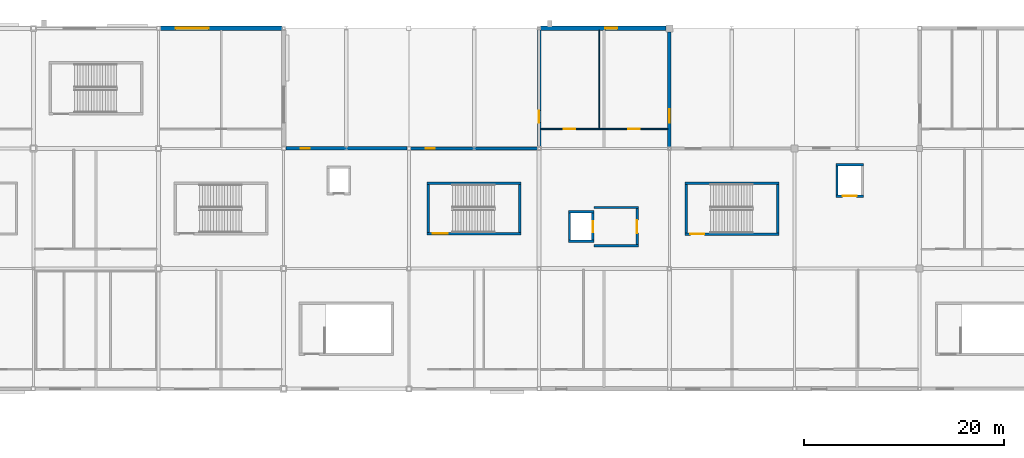
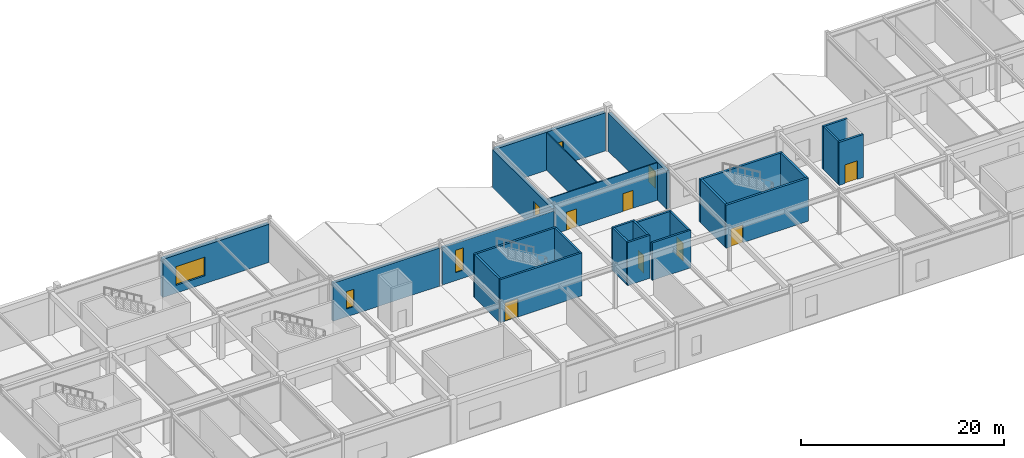
# One storey, part 82 of 105: 26 walls, 7 doors, 6 windows, 13 openings.
"""IFC4 building model written with IfcOpenShell, lengths in metres."""

from ifc_helpers import new_model, si_unit, direction, frame, frame_2d, origin, place, context, subcontext, project, spatial, rectangle, extrude, material, layer, layer_set, type_object, element, fill, save


model = new_model("IFC4")

# Units and contexts
model_context = context("Model", 3, precision=1e-05, world=origin(), true_north=direction((0.0, 1.0)))
body_context = subcontext(model_context, "Body", "Model", "MODEL_VIEW")
ifc_project = project(units=[si_unit("LENGTHUNIT", "METRE"), si_unit("AREAUNIT", "SQUARE_METRE"), si_unit("VOLUMEUNIT", "CUBIC_METRE"), si_unit("PLANEANGLEUNIT", "RADIAN"), si_unit("MASSUNIT", "GRAM", prefix="KILO")], contexts=[model_context])

# Site, building, storey
site_placement = place(None, origin())
site = spatial("IfcSite", under=ifc_project, at=site_placement, CompositionType="ELEMENT")
building_placement = place(site_placement, origin())
building = spatial("IfcBuilding", under=site, at=building_placement, Name="Kazenohara Klinker Stadium", CompositionType="ELEMENT")
storey_placement = place(building_placement, frame((0.0, 0.0, 20.39990234375)))
storey = spatial("IfcBuildingStorey", under=building, at=storey_placement, Name="L04", CompositionType="ELEMENT", Elevation=20.39990234375)

# Wall, opening, door
ifc_material_1 = material(Name="Concrete C40/50", Category="concrete")
ifc_layer_1 = layer(ifc_material_1, 0.22998046875)
ifc_layer_set_1 = layer_set([ifc_layer_1], Name="Concrete C40/50")
wall_type_1 = type_object("IfcWallType", Name="WAL-CORE-230", PredefinedType="SHEAR", material=ifc_layer_set_1)
wall_1_placement = place(storey_placement, frame((100.820068359375, 147.485107421875, 0.0), z_axis=(0.0, 0.0, 1.0), x_axis=(1.0, 0.0, 0.0)))
wall_1 = element("IfcWall", 1, at=wall_1_placement, inside=storey, type_object=wall_type_1, Name="Stairwell shear wall ST10 L04 South", PredefinedType="SHEAR", context=body_context, shape_type="SweptSolid", body=[
    extrude(rectangle(XDim=9.35986328125, YDim=0.22998046875, at=frame_2d((4.679931640625, 0.0))), origin(), (0.0, 0.0, 1.0), 5.18017578125),
])
opening_1_placement = place(wall_1_placement, frame((0.550048828125, 0.0, 0.0)))
opening_1 = element("IfcOpeningElement", 2, at=opening_1_placement, cuts=wall_1, Name="Opening SD02", PredefinedType="OPENING", context=body_context, shape_type="SweptSolid", body=[
    extrude(rectangle(XDim=1.5, YDim=2.199951171875, at=frame_2d((0.75, 1.10009765625))), frame((0.0, 0.125, 0.0), z_axis=(0.0, -1.0, 0.0), x_axis=(1.0, 0.0, 0.0)), (0.0, 0.0, 1.0), 0.25),
])
ifc_material_2 = material(Name="Flush painted steel fire door leaf", Category="steel")
door_type_1 = type_object("IfcDoorType", Name="DR-STR-1500x2200", OperationType="NOTDEFINED", PredefinedType="DOOR", material=ifc_material_2)
door_1_placement = place(opening_1_placement, origin())
door_1 = element("IfcDoor", 3, at=door_1_placement, inside=storey, type_object=door_type_1, Name="Escape stairwell fire door ST10-L04", OperationType="SINGLE_SWING_LEFT", OverallHeight=2.199951171875, OverallWidth=1.5, PredefinedType="DOOR", context=body_context, shape_type="SweptSolid", body=[
    extrude(rectangle(XDim=1.5, YDim=2.199951171875, at=frame_2d((0.75, 1.10009765625))), frame((0.0, 0.02490234375, 0.0), z_axis=(0.0, -1.0, 0.0), x_axis=(1.0, 0.0, 0.0)), (0.0, 0.0, 1.0), 0.050048828125),
])
fill(opening_1, door_1)

# Walls
wall_2_placement = place(storey_placement, frame((100.820068359375, 152.514892578125, 0.0), z_axis=(0.0, 0.0, 1.0), x_axis=(1.0, 0.0, 0.0)))
element("IfcWall", 4, at=wall_2_placement, inside=storey, type_object=wall_type_1, Name="Stairwell shear wall ST10 L04 North", PredefinedType="SHEAR", context=body_context, shape_type="SweptSolid", body=[
    extrude(rectangle(XDim=9.35986328125, YDim=0.22998046875, at=frame_2d((4.679931640625, 0.0))), origin(), (0.0, 0.0, 1.0), 5.18017578125),
])
for number, where, z_axis, x_axis, name in (
    (5, (100.93505859375, 147.60009765625, 0.0), (0.0, 0.0, 1.0), (0.0, 1.0, 0.0), "Stairwell shear wall ST10 L04 West"),
    (6, (110.06494140625, 147.60009765625, 0.0), (0.0, 0.0, 1.0), (0.0, 1.0, 0.0), "Stairwell shear wall ST10 L04 East"),
):
    element("IfcWall", number, at=place(storey_placement, frame(where, z_axis=z_axis, x_axis=x_axis)), inside=storey, type_object=wall_type_1, Name=name, PredefinedType="SHEAR", context=body_context, shape_type="SweptSolid", body=[
        extrude(rectangle(XDim=4.7998046875, YDim=0.22998046875, at=frame_2d((2.39990234375, 0.0))), origin(), (0.0, 0.0, 1.0), 5.18017578125),
    ])
for number, where, z_axis, x_axis, name in (
    (7, (114.919921875, 146.735107421875, 0.0), (0.0, 0.0, 1.0), (1.0, 0.0, 0.0), "Elevator shaft wall LF04 L04 South"),
    (8, (114.919921875, 149.6650390625, 0.0), (0.0, 0.0, 1.0), (1.0, 0.0, 0.0), "Elevator shaft wall LF04 L04 North"),
):
    element("IfcWall", number, at=place(storey_placement, frame(where, z_axis=z_axis, x_axis=x_axis)), inside=storey, type_object=wall_type_1, Name=name, PredefinedType="SHEAR", context=body_context, shape_type="SweptSolid", body=[
        extrude(rectangle(XDim=2.56005859375, YDim=0.22998046875, at=frame_2d((1.280029296875, 0.0))), origin(), (0.0, 0.0, 1.0), 5.18017578125),
    ])
wall_3_placement = place(storey_placement, frame((115.034912109375, 146.85009765625, 0.0), z_axis=(0.0, 0.0, 1.0), x_axis=(0.0, 1.0, 0.0)))
element("IfcWall", 9, at=wall_3_placement, inside=storey, type_object=wall_type_1, Name="Elevator shaft wall LF04 L04 West", PredefinedType="SHEAR", context=body_context, shape_type="SweptSolid", body=[
    extrude(rectangle(XDim=2.699951171875, YDim=0.22998046875, at=frame_2d((1.35009765625, 0.0))), origin(), (0.0, 0.0, 1.0), 5.18017578125),
])

# Wall, opening, door
wall_4_placement = place(storey_placement, frame((117.364990234375, 146.85009765625, 0.0), z_axis=(0.0, 0.0, 1.0), x_axis=(0.0, 1.0, 0.0)))
wall_4 = element("IfcWall", 10, at=wall_4_placement, inside=storey, type_object=wall_type_1, Name="Elevator shaft wall LF04 L04 East", PredefinedType="SHEAR", context=body_context, shape_type="SweptSolid", body=[
    extrude(rectangle(XDim=2.699951171875, YDim=0.22998046875, at=frame_2d((1.35009765625, 0.0))), origin(), (0.0, 0.0, 1.0), 5.18017578125),
])
opening_2_placement = place(wall_4_placement, frame((0.800048828125, 0.0, 0.0)))
opening_2 = element("IfcOpeningElement", 11, at=opening_2_placement, cuts=wall_4, Name="Opening LD01", PredefinedType="OPENING", context=body_context, shape_type="SweptSolid", body=[
    extrude(rectangle(XDim=1.10009765625, YDim=2.14990234375, at=frame_2d((0.550048828125, 1.074951171875))), frame((0.0, 0.125, 0.0), z_axis=(0.0, -1.0, 0.0), x_axis=(1.0, 0.0, 0.0)), (0.0, 0.0, 1.0), 0.25),
])
ifc_material_3 = material(Name="Stainless steel fire-rated sliding landing door", Category="steel")
door_type_2 = type_object("IfcDoorType", Name="DR-LD01-1100x2150", OperationType="NOTDEFINED", PredefinedType="DOOR", material=ifc_material_3)
door_2_placement = place(opening_2_placement, origin())
door_2 = element("IfcDoor", 12, at=door_2_placement, inside=storey, type_object=door_type_2, Name="Elevator sliding landing door LF04-L04", OperationType="DOUBLE_DOOR_SLIDING", OverallHeight=2.14990234375, OverallWidth=1.10009765625, PredefinedType="DOOR", context=body_context, shape_type="SweptSolid", body=[
    extrude(rectangle(XDim=1.10009765625, YDim=2.14990234375, at=frame_2d((0.550048828125, 1.074951171875))), frame((0.0, 0.02490234375, 0.0), z_axis=(0.0, -1.0, 0.0), x_axis=(1.0, 0.0, 0.0)), (0.0, 0.0, 1.0), 0.050048828125),
])
fill(opening_2, door_2)

wall_5_placement = place(storey_placement, frame((141.6201171875, 151.235107421875, 0.0), z_axis=(0.0, 0.0, 1.0), x_axis=(1.0, 0.0, 0.0)))
wall_5 = element("IfcWall", 13, at=wall_5_placement, inside=storey, type_object=wall_type_1, Name="Elevator shaft wall LG02 L04 South", PredefinedType="SHEAR", context=body_context, shape_type="SweptSolid", body=[
    extrude(rectangle(XDim=2.759765625, YDim=0.22998046875, at=frame_2d((1.3798828125, 0.0))), origin(), (0.0, 0.0, 1.0), 5.18017578125),
])
opening_3_placement = place(wall_5_placement, frame((0.679931640625, 0.0, 0.0)))
opening_3 = element("IfcOpeningElement", 14, at=opening_3_placement, cuts=wall_5, Name="Opening LD03", PredefinedType="OPENING", context=body_context, shape_type="SweptSolid", body=[
    extrude(rectangle(XDim=1.39990234375, YDim=2.25, at=frame_2d((0.699951171875, 1.125))), frame((0.0, 0.125, 0.0), z_axis=(0.0, -1.0, 0.0), x_axis=(1.0, 0.0, 0.0)), (0.0, 0.0, 1.0), 0.25),
])
ifc_material_4 = material(Name="Heavy-duty stainless steel sliding goods landing door", Category="steel")
door_type_3 = type_object("IfcDoorType", Name="DR-LD03-1400x2250", OperationType="NOTDEFINED", PredefinedType="DOOR", material=ifc_material_4)
door_3_placement = place(opening_3_placement, origin())
door_3 = element("IfcDoor", 15, at=door_3_placement, inside=storey, type_object=door_type_3, Name="Elevator sliding landing door LG02-L04", OperationType="DOUBLE_DOOR_SLIDING", OverallHeight=2.25, OverallWidth=1.39990234375, PredefinedType="DOOR", context=body_context, shape_type="SweptSolid", body=[
    extrude(rectangle(XDim=1.39990234375, YDim=2.25, at=frame_2d((0.699951171875, 1.125))), frame((0.0, 0.02490234375, 0.0), z_axis=(0.0, -1.0, 0.0), x_axis=(1.0, 0.0, 0.0)), (0.0, 0.0, 1.0), 0.050048828125),
])
fill(opening_3, door_3)

# Walls
wall_6_placement = place(storey_placement, frame((141.6201171875, 154.364990234375, 0.0), z_axis=(0.0, 0.0, 1.0), x_axis=(1.0, 0.0, 0.0)))
element("IfcWall", 16, at=wall_6_placement, inside=storey, type_object=wall_type_1, Name="Elevator shaft wall LG02 L04 North", PredefinedType="SHEAR", context=body_context, shape_type="SweptSolid", body=[
    extrude(rectangle(XDim=2.759765625, YDim=0.22998046875, at=frame_2d((1.3798828125, 0.0))), origin(), (0.0, 0.0, 1.0), 5.18017578125),
])
wall_7_placement = place(storey_placement, frame((141.735107421875, 151.35009765625, 0.0), z_axis=(0.0, 0.0, 1.0), x_axis=(0.0, 1.0, 0.0)))
element("IfcWall", 17, at=wall_7_placement, inside=storey, type_object=wall_type_1, Name="Elevator shaft wall LG02 L04 West", PredefinedType="SHEAR", context=body_context, shape_type="SweptSolid", body=[
    extrude(rectangle(XDim=2.89990234375, YDim=0.22998046875, at=frame_2d((1.449951171875, 0.0))), origin(), (0.0, 0.0, 1.0), 5.18017578125),
])

# Wall, opening, door
ifc_layer_2 = layer(ifc_material_1, 0.25)
ifc_layer_set_2 = layer_set([ifc_layer_2], Name="Concrete C40/50")
wall_type_2 = type_object("IfcWallType", Name="WAL-CORE-250", PredefinedType="SHEAR", material=ifc_layer_set_2)
wall_8_placement = place(storey_placement, frame((126.550048828125, 147.455078125, 0.0), z_axis=(0.0, 0.0, 1.0), x_axis=(1.0, 0.0, 0.0)))
wall_8 = element("IfcWall", 18, at=wall_8_placement, inside=storey, type_object=wall_type_2, Name="Stairwell shear wall ST11 L04 South", PredefinedType="SHEAR", context=body_context, shape_type="SweptSolid", body=[
    extrude(rectangle(XDim=9.39990234375, YDim=0.25, at=frame_2d((4.699951171875, 0.0))), origin(), (0.0, 0.0, 1.0), 5.18017578125),
])
opening_4_placement = place(wall_8_placement, frame((0.550048828125, 0.0, 0.0)))
opening_4 = element("IfcOpeningElement", 19, at=opening_4_placement, cuts=wall_8, Name="Opening SD01", PredefinedType="OPENING", context=body_context, shape_type="SweptSolid", body=[
    extrude(rectangle(XDim=1.39990234375, YDim=2.14990234375, at=frame_2d((0.699951171875, 1.074951171875))), frame((0.0, 0.135009765625, 0.0), z_axis=(0.0, -1.0, 0.0), x_axis=(1.0, 0.0, 0.0)), (0.0, 0.0, 1.0), 0.27001953125),
])
door_type_4 = type_object("IfcDoorType", Name="DR-STR-1400x2150", OperationType="NOTDEFINED", PredefinedType="DOOR", material=ifc_material_2)
door_4_placement = place(opening_4_placement, origin())
door_4 = element("IfcDoor", 20, at=door_4_placement, inside=storey, type_object=door_type_4, Name="Escape stairwell fire door ST11-L04", OperationType="SINGLE_SWING_RIGHT", OverallHeight=2.14990234375, OverallWidth=1.39990234375, PredefinedType="DOOR", context=body_context, shape_type="SweptSolid", body=[
    extrude(rectangle(XDim=1.39990234375, YDim=2.14990234375, at=frame_2d((0.699951171875, 1.074951171875))), frame((0.0, 0.02490234375, 0.0), z_axis=(0.0, -1.0, 0.0), x_axis=(1.0, 0.0, 0.0)), (0.0, 0.0, 1.0), 0.050048828125),
])
fill(opening_4, door_4)

# Walls
wall_9_placement = place(storey_placement, frame((126.550048828125, 152.544921875, 0.0), z_axis=(0.0, 0.0, 1.0), x_axis=(1.0, 0.0, 0.0)))
element("IfcWall", 21, at=wall_9_placement, inside=storey, type_object=wall_type_2, Name="Stairwell shear wall ST11 L04 North", PredefinedType="SHEAR", context=body_context, shape_type="SweptSolid", body=[
    extrude(rectangle(XDim=9.39990234375, YDim=0.25, at=frame_2d((4.699951171875, 0.0))), origin(), (0.0, 0.0, 1.0), 5.18017578125),
])
for number, where, z_axis, x_axis, name in (
    (22, (126.675048828125, 147.580078125, 0.0), (0.0, 0.0, 1.0), (0.0, 1.0, 0.0), "Stairwell shear wall ST11 L04 West"),
    (23, (135.824951171875, 147.580078125, 0.0), (0.0, 0.0, 1.0), (0.0, 1.0, 0.0), "Stairwell shear wall ST11 L04 East"),
):
    element("IfcWall", number, at=place(storey_placement, frame(where, z_axis=z_axis, x_axis=x_axis)), inside=storey, type_object=wall_type_2, Name=name, PredefinedType="SHEAR", context=body_context, shape_type="SweptSolid", body=[
        extrude(rectangle(XDim=4.83984375, YDim=0.25, at=frame_2d((2.419921875, 0.0))), origin(), (0.0, 0.0, 1.0), 5.18017578125),
    ])

# Wall, opening, window
ifc_material_5 = material(Name="Clinker brick masonry", Category="masonry")
ifc_layer_3 = layer(ifc_material_5, 0.280029296875)
ifc_layer_set_3 = layer_set([ifc_layer_3], Name="Clinker brick masonry")
wall_type_3 = type_object("IfcWallType", Name="WAL-EXT-CB280", PredefinedType="SOLIDWALL", material=ifc_layer_set_3)
wall_10_placement = place(storey_placement, frame((99.178955078125, 156.0, 0.0), z_axis=(0.0, 0.0, 1.0), x_axis=(1.0, 0.0, 0.0)))
wall_10 = element("IfcWall", 24, at=wall_10_placement, inside=storey, type_object=wall_type_3, Name="Clinker brick cavity wall EW06 L04 X8-13", PredefinedType="SOLIDWALL", context=body_context, shape_type="SweptSolid", body=[
    extrude(rectangle(XDim=12.6669921875, YDim=0.280029296875, at=frame_2d((6.33349609375, 0.0))), origin(), (0.0, 0.0, 1.0), 4.47998046875),
])
opening_5_placement = place(wall_10_placement, frame((1.5, 0.0, 0.949951171875)))
opening_5 = element("IfcOpeningElement", 25, at=opening_5_placement, cuts=wall_10, Name="Opening W03", PredefinedType="OPENING", context=body_context, shape_type="SweptSolid", body=[
    extrude(rectangle(XDim=0.89990234375, YDim=2.699951171875, at=frame_2d((0.449951171875, 1.35009765625))), frame((0.0, 0.14990234375, 0.0), z_axis=(0.0, -1.0, 0.0), x_axis=(1.0, 0.0, 0.0)), (0.0, 0.0, 1.0), 0.300048828125),
])
ifc_material_6 = material(Name="Dark bronze aluminium frame and triple glazing", Category="aluminium")
window_type_1 = type_object("IfcWindowType", Name="WIN-AS-03", PartitioningType="SINGLE_PANEL", PredefinedType="WINDOW", material=ifc_material_6)
window_1_placement = place(opening_5_placement, origin())
window_1 = element("IfcWindow", 26, at=window_1_placement, inside=storey, type_object=window_type_1, Name="Horizontal-mullion ladder window W03 L04 X8-13", OverallHeight=2.699951171875, OverallWidth=0.89990234375, PartitioningType="SINGLE_PANEL", PredefinedType="WINDOW", context=body_context, shape_type="SweptSolid", body=[
    extrude(rectangle(XDim=0.89990234375, YDim=2.699951171875, at=frame_2d((0.449951171875, 1.35009765625))), frame((0.0, 0.030029296875, 0.0), z_axis=(0.0, -1.0, 0.0), x_axis=(1.0, 0.0, 0.0)), (0.0, 0.0, 1.0), 0.06005859375),
])
fill(opening_5, window_1)

ifc_layer_4 = layer(ifc_material_5, 0.340087890625)
ifc_layer_set_4 = layer_set([ifc_layer_4], Name="Clinker brick masonry")
wall_type_4 = type_object("IfcWallType", Name="WAL-EXT-CB340", PredefinedType="SOLIDWALL", material=ifc_layer_set_4)
wall_11_placement = place(storey_placement, frame((86.7041015625, 156.0, 0.0), z_axis=(0.0, 0.0, 1.0), x_axis=(1.0, 0.0, 0.0)))
wall_11 = element("IfcWall", 27, at=wall_11_placement, inside=storey, type_object=wall_type_4, Name="Clinker brick cavity wall EW04 L04 X7-13", PredefinedType="SOLIDWALL", context=body_context, shape_type="SweptSolid", body=[
    extrude(rectangle(XDim=12.116943359375, YDim=0.340087890625, at=frame_2d((6.05859375, 0.0))), origin(), (0.0, 0.0, 1.0), 4.592041015625),
])
opening_6_placement = place(wall_11_placement, frame((1.5, 0.0, 0.949951171875)))
opening_6 = element("IfcOpeningElement", 28, at=opening_6_placement, cuts=wall_11, Name="Opening W01", PredefinedType="OPENING", context=body_context, shape_type="SweptSolid", body=[
    extrude(rectangle(XDim=0.89990234375, YDim=2.10009765625, at=frame_2d((0.449951171875, 1.050048828125))), frame((0.0, 0.18017578125, 0.0), z_axis=(0.0, -1.0, 0.0), x_axis=(1.0, 0.0, 0.0)), (0.0, 0.0, 1.0), 0.360107421875),
])
window_type_2 = type_object("IfcWindowType", Name="WIN-AS-01", PartitioningType="SINGLE_PANEL", PredefinedType="WINDOW", material=ifc_material_6)
window_2_placement = place(opening_6_placement, origin())
window_2 = element("IfcWindow", 29, at=window_2_placement, inside=storey, type_object=window_type_2, Name="Horizontal-mullion ladder window W01 L04 X7-13", OverallHeight=2.10009765625, OverallWidth=0.89990234375, PartitioningType="SINGLE_PANEL", PredefinedType="WINDOW", context=body_context, shape_type="SweptSolid", body=[
    extrude(rectangle(XDim=0.89990234375, YDim=2.10009765625, at=frame_2d((0.449951171875, 1.050048828125))), frame((0.0, 0.030029296875, 0.0), z_axis=(0.0, -1.0, 0.0), x_axis=(1.0, 0.0, 0.0)), (0.0, 0.0, 1.0), 0.06005859375),
])
fill(opening_6, window_2)

wall_12_placement = place(storey_placement, frame((125.0, 156.12890625, 0.0), z_axis=(0.0, 0.0, 1.0), x_axis=(0.0, 1.0, 0.0)))
wall_12 = element("IfcWall", 30, at=wall_12_placement, inside=storey, type_object=wall_type_4, Name="Clinker brick cavity wall EW04 L04 Y10-13", PredefinedType="SOLIDWALL", context=body_context, shape_type="SweptSolid", body=[
    extrude(rectangle(XDim=11.51708984375, YDim=0.340087890625, at=frame_2d((5.758544921875, 0.0))), origin(), (0.0, 0.0, 1.0), 4.592041015625),
])
opening_7_placement = place(wall_12_placement, frame((2.44091796875, 0.0, 0.949951171875)))
opening_7 = element("IfcOpeningElement", 31, at=opening_7_placement, cuts=wall_12, Name="Opening W07", PredefinedType="OPENING", context=body_context, shape_type="SweptSolid", body=[
    extrude(rectangle(XDim=1.35009765625, YDim=2.0, at=frame_2d((0.675048828125, 1.0))), frame((0.0, 0.18017578125, 0.0), z_axis=(0.0, -1.0, 0.0), x_axis=(1.0, 0.0, 0.0)), (0.0, 0.0, 1.0), 0.360107421875),
])
window_type_3 = type_object("IfcWindowType", Name="WIN-AS-07", PartitioningType="SINGLE_PANEL", PredefinedType="WINDOW", material=ifc_material_6)
window_3_placement = place(opening_7_placement, origin())
window_3 = element("IfcWindow", 32, at=window_3_placement, inside=storey, type_object=window_type_3, Name="Horizontal-mullion ladder window W07 L04 Y10-13", OverallHeight=2.0, OverallWidth=1.35009765625, PartitioningType="SINGLE_PANEL", PredefinedType="WINDOW", context=body_context, shape_type="SweptSolid", body=[
    extrude(rectangle(XDim=1.35009765625, YDim=2.0, at=frame_2d((0.675048828125, 1.0))), frame((0.0, 0.030029296875, 0.0), z_axis=(0.0, -1.0, 0.0), x_axis=(1.0, 0.0, 0.0)), (0.0, 0.0, 1.0), 0.06005859375),
])
fill(opening_7, window_3)

ifc_layer_5 = layer(ifc_material_5, 0.3701171875)
ifc_layer_set_5 = layer_set([ifc_layer_5], Name="Clinker brick masonry")
wall_type_5 = type_object("IfcWallType", Name="WAL-EXT-CB370", PredefinedType="SOLIDWALL", material=ifc_layer_set_5)
wall_13_placement = place(storey_placement, frame((112.0, 156.154052734375, 0.0), z_axis=(0.0, 0.0, 1.0), x_axis=(0.0, 1.0, 0.0)))
wall_13 = element("IfcWall", 33, at=wall_13_placement, inside=storey, type_object=wall_type_5, Name="Clinker brick cavity wall EW03 L04 Y9-13", PredefinedType="SOLIDWALL", context=body_context, shape_type="SweptSolid", body=[
    extrude(rectangle(XDim=11.717041015625, YDim=0.3701171875, at=frame_2d((5.8583984375, 0.0))), origin(), (0.0, 0.0, 1.0), 4.580078125),
])
opening_8_placement = place(wall_13_placement, frame((2.416015625, 0.0, 0.949951171875)))
opening_8 = element("IfcOpeningElement", 34, at=opening_8_placement, cuts=wall_13, Name="Opening W06", PredefinedType="OPENING", context=body_context, shape_type="SweptSolid", body=[
    extrude(rectangle(XDim=1.199951171875, YDim=2.300048828125, at=frame_2d((0.60009765625, 1.14990234375))), frame((0.0, 0.195068359375, 0.0), z_axis=(0.0, -1.0, 0.0), x_axis=(1.0, 0.0, 0.0)), (0.0, 0.0, 1.0), 0.39013671875),
])
window_type_4 = type_object("IfcWindowType", Name="WIN-AS-06", PartitioningType="SINGLE_PANEL", PredefinedType="WINDOW", material=ifc_material_6)
window_4_placement = place(opening_8_placement, origin())
window_4 = element("IfcWindow", 35, at=window_4_placement, inside=storey, type_object=window_type_4, Name="Horizontal-mullion ladder window W06 L04 Y9-13", OverallHeight=2.300048828125, OverallWidth=1.199951171875, PartitioningType="SINGLE_PANEL", PredefinedType="WINDOW", context=body_context, shape_type="SweptSolid", body=[
    extrude(rectangle(XDim=1.199951171875, YDim=2.300048828125, at=frame_2d((0.60009765625, 1.14990234375))), frame((0.0, 0.030029296875, 0.0), z_axis=(0.0, -1.0, 0.0), x_axis=(1.0, 0.0, 0.0)), (0.0, 0.0, 1.0), 0.06005859375),
])
fill(opening_8, window_4)

ifc_layer_6 = layer(ifc_material_5, 0.409912109375)
ifc_layer_set_6 = layer_set([ifc_layer_6], Name="Clinker brick masonry")
wall_type_6 = type_object("IfcWallType", Name="WAL-EXT-CB410", PredefinedType="SOLIDWALL", material=ifc_layer_set_6)
wall_14_placement = place(storey_placement, frame((112.12890625, 168.0, 0.0), z_axis=(0.0, 0.0, 1.0), x_axis=(1.0, 0.0, 0.0)))
wall_14 = element("IfcWall", 36, at=wall_14_placement, inside=storey, type_object=wall_type_6, Name="Clinker brick cavity wall EW02 L04 X9-14", PredefinedType="SOLIDWALL", context=body_context, shape_type="SweptSolid", body=[
    extrude(rectangle(XDim=12.51708984375, YDim=0.409912109375, at=frame_2d((6.258544921875, 0.0))), origin(), (0.0, 0.0, 1.0), 4.592041015625),
])
opening_9_placement = place(wall_14_placement, frame((6.493896484375, 0.0, 0.949951171875)))
opening_9 = element("IfcOpeningElement", 37, at=opening_9_placement, cuts=wall_14, Name="Opening W05", PredefinedType="OPENING", context=body_context, shape_type="SweptSolid", body=[
    extrude(rectangle(XDim=1.199951171875, YDim=1.89990234375, at=frame_2d((0.60009765625, 0.949951171875))), frame((0.0, 0.21484375, 0.0), z_axis=(0.0, -1.0, 0.0), x_axis=(1.0, 0.0, 0.0)), (0.0, 0.0, 1.0), 0.429931640625),
])
window_type_5 = type_object("IfcWindowType", Name="WIN-AS-05", PartitioningType="SINGLE_PANEL", PredefinedType="WINDOW", material=ifc_material_6)
window_5_placement = place(opening_9_placement, origin())
window_5 = element("IfcWindow", 38, at=window_5_placement, inside=storey, type_object=window_type_5, Name="Horizontal-mullion ladder window W05 L04 X9-14", OverallHeight=1.89990234375, OverallWidth=1.199951171875, PartitioningType="SINGLE_PANEL", PredefinedType="WINDOW", context=body_context, shape_type="SweptSolid", body=[
    extrude(rectangle(XDim=1.199951171875, YDim=1.89990234375, at=frame_2d((0.60009765625, 0.949951171875))), frame((0.0, 0.030029296875, 0.0), z_axis=(0.0, -1.0, 0.0), x_axis=(1.0, 0.0, 0.0)), (0.0, 0.0, 1.0), 0.06005859375),
])
fill(opening_9, window_5)

ifc_layer_7 = layer(ifc_material_5, 0.449951171875)
ifc_layer_set_7 = layer_set([ifc_layer_7], Name="Clinker brick masonry")
wall_type_7 = type_object("IfcWallType", Name="WAL-EXT-CB450", PredefinedType="SOLIDWALL", material=ifc_layer_set_7)
wall_15_placement = place(storey_placement, frame((74.2041015625, 168.0, 0.0), z_axis=(0.0, 0.0, 1.0), x_axis=(1.0, 0.0, 0.0)))
wall_15 = element("IfcWall", 39, at=wall_15_placement, inside=storey, type_object=wall_type_7, Name="Clinker brick cavity wall EW01 L04 X6-14", PredefinedType="SOLIDWALL", context=body_context, shape_type="SweptSolid", body=[
    extrude(rectangle(XDim=12.116943359375, YDim=0.449951171875, at=frame_2d((6.05859375, 0.0))), origin(), (0.0, 0.0, 1.0), 4.592041015625),
])
opening_10_placement = place(wall_15_placement, frame((1.5, 0.0, 0.949951171875)))
opening_10 = element("IfcOpeningElement", 40, at=opening_10_placement, cuts=wall_15, Name="Opening W34", PredefinedType="OPENING", context=body_context, shape_type="SweptSolid", body=[
    extrude(rectangle(XDim=3.300048828125, YDim=2.25, at=frame_2d((1.64990234375, 1.125))), frame((0.0, 0.23486328125, 0.0), z_axis=(0.0, -1.0, 0.0), x_axis=(1.0, 0.0, 0.0)), (0.0, 0.0, 1.0), 0.469970703125),
])
window_type_6 = type_object("IfcWindowType", Name="WIN-AS-34", PartitioningType="SINGLE_PANEL", PredefinedType="WINDOW", material=ifc_material_6)
window_6_placement = place(opening_10_placement, origin())
window_6 = element("IfcWindow", 41, at=window_6_placement, inside=storey, type_object=window_type_6, Name="Horizontal-mullion ladder window W34 L04 X6-14", OverallHeight=2.25, OverallWidth=3.300048828125, PartitioningType="SINGLE_PANEL", PredefinedType="WINDOW", context=body_context, shape_type="SweptSolid", body=[
    extrude(rectangle(XDim=3.300048828125, YDim=2.25, at=frame_2d((1.64990234375, 1.125))), frame((0.0, 0.030029296875, 0.0), z_axis=(0.0, -1.0, 0.0), x_axis=(1.0, 0.0, 0.0)), (0.0, 0.0, 1.0), 0.06005859375),
])
fill(opening_10, window_6)

# Walls
ifc_layer_8 = layer(ifc_material_1, 0.219970703125)
ifc_layer_set_8 = layer_set([ifc_layer_8], Name="Concrete C40/50")
wall_type_8 = type_object("IfcWallType", Name="WAL-INT-FF220", PredefinedType="SOLIDWALL", material=ifc_layer_set_8)
for number, where, z_axis, x_axis, name in (
    (42, (117.47998046875, 146.2900390625, 0.0), (0.0, 0.0, 1.0), (1.0, 0.0, 0.0), "Firefighting lobby wall LF04 L04 South"),
    (43, (117.47998046875, 150.110107421875, 0.0), (0.0, 0.0, 1.0), (1.0, 0.0, 0.0), "Firefighting lobby wall LF04 L04 North"),
):
    element("IfcWall", number, at=place(storey_placement, frame(where, z_axis=z_axis, x_axis=x_axis)), inside=storey, type_object=wall_type_8, Name=name, PredefinedType="SOLIDWALL", context=body_context, shape_type="SweptSolid", body=[
        extrude(rectangle(XDim=4.419921875, YDim=0.219970703125, at=frame_2d((2.2099609375, 0.0))), origin(), (0.0, 0.0, 1.0), 4.52001953125),
    ])

# Wall, opening, door
wall_16_placement = place(storey_placement, frame((121.7900390625, 146.39990234375, 0.0), z_axis=(0.0, 0.0, 1.0), x_axis=(0.0, 1.0, 0.0)))
wall_16 = element("IfcWall", 44, at=wall_16_placement, inside=storey, type_object=wall_type_8, Name="Firefighting lobby front wall LF04 L04", PredefinedType="SOLIDWALL", context=body_context, shape_type="SweptSolid", body=[
    extrude(rectangle(XDim=3.60009765625, YDim=0.219970703125, at=frame_2d((1.800048828125, 0.0))), origin(), (0.0, 0.0, 1.0), 4.52001953125),
])
opening_11_placement = place(wall_16_placement, frame((1.14990234375, 0.0, 0.0)))
opening_11 = element("IfcOpeningElement", 45, at=opening_11_placement, cuts=wall_16, Name="Opening FD01", PredefinedType="OPENING", context=body_context, shape_type="SweptSolid", body=[
    extrude(rectangle(XDim=1.300048828125, YDim=2.14990234375, at=frame_2d((0.64990234375, 1.074951171875))), frame((0.0, 0.1201171875, 0.0), z_axis=(0.0, -1.0, 0.0), x_axis=(1.0, 0.0, 0.0)), (0.0, 0.0, 1.0), 0.239990234375),
])
ifc_material_7 = material(Name="Smoke-sealed steel fire lobby door", Category="steel")
door_type_5 = type_object("IfcDoorType", Name="DR-FFL-1300x2150", OperationType="NOTDEFINED", PredefinedType="DOOR", material=ifc_material_7)
door_5_placement = place(opening_11_placement, origin())
door_5 = element("IfcDoor", 46, at=door_5_placement, inside=storey, type_object=door_type_5, Name="Firefighting lobby smoke-sealed door LF04-L04", OperationType="SINGLE_SWING_LEFT", OverallHeight=2.14990234375, OverallWidth=1.300048828125, PredefinedType="DOOR", context=body_context, shape_type="SweptSolid", body=[
    extrude(rectangle(XDim=1.300048828125, YDim=2.14990234375, at=frame_2d((0.64990234375, 1.074951171875))), frame((0.0, 0.02490234375, 0.0), z_axis=(0.0, -1.0, 0.0), x_axis=(1.0, 0.0, 0.0)), (0.0, 0.0, 1.0), 0.050048828125),
])
fill(opening_11, door_5)

# Wall, openings, doors
ifc_material_8 = material(Name="Fire-rated gypsum board on acoustic studs", Category="gypsum")
ifc_layer_9 = layer(ifc_material_8, 0.110107421875)
ifc_layer_set_9 = layer_set([ifc_layer_9], Name="Fire-rated gypsum board on acoustic studs")
wall_type_9 = type_object("IfcWallType", Name="WAL-INT-P110", PredefinedType="PARTITIONING", material=ifc_layer_set_9)
wall_17_placement = place(storey_placement, frame((112.18701171875, 157.93994140625, 0.0), z_axis=(0.0, 0.0, 1.0), x_axis=(1.0, 0.0, 0.0)))
wall_17 = element("IfcWall", 47, at=wall_17_placement, inside=storey, type_object=wall_type_9, Name="Interior partition wall PT01 SPC-L04-09-13-1-1", PredefinedType="PARTITIONING", context=body_context, shape_type="SweptSolid", body=[
    extrude(rectangle(XDim=12.640869140625, YDim=0.110107421875, at=frame_2d((6.3203125, 0.0))), origin(), (0.0, 0.0, 1.0), 4.52001953125),
])
opening_12_placement = place(wall_17_placement, frame((2.289306640625, 0.0, 0.0)))
opening_12 = element("IfcOpeningElement", 48, at=opening_12_placement, cuts=wall_17, Name="Opening ID09", PredefinedType="OPENING", context=body_context, shape_type="SweptSolid", body=[
    extrude(rectangle(XDim=1.1201171875, YDim=2.179931640625, at=frame_2d((0.56005859375, 1.08984375))), frame((0.0, 0.06494140625, 0.0), z_axis=(0.0, -1.0, 0.0), x_axis=(1.0, 0.0, 0.0)), (0.0, 0.0, 1.0), 0.130126953125),
])
opening_13_placement = place(wall_17_placement, frame((8.6943359375, 0.0, 0.0)))
opening_13 = element("IfcOpeningElement", 49, at=opening_13_placement, cuts=wall_17, Name="Opening ID10", PredefinedType="OPENING", context=body_context, shape_type="SweptSolid", body=[
    extrude(rectangle(XDim=1.14990234375, YDim=2.14990234375, at=frame_2d((0.574951171875, 1.074951171875))), frame((0.0, 0.06494140625, 0.0), z_axis=(0.0, -1.0, 0.0), x_axis=(1.0, 0.0, 0.0)), (0.0, 0.0, 1.0), 0.130126953125),
])
ifc_material_9 = material(Name="Solid-core Hokkaido oak fire door", Category="wood")
door_type_6 = type_object("IfcDoorType", Name="DR-INT-09", OperationType="NOTDEFINED", PredefinedType="DOOR", material=ifc_material_9)
door_6_placement = place(opening_12_placement, origin())
door_6 = element("IfcDoor", 50, at=door_6_placement, inside=storey, type_object=door_type_6, Name="Interior door ID09 Roof Garden Culinary Catering Kitchen L04-0913A", OperationType="SINGLE_SWING_RIGHT", OverallHeight=2.179931640625, OverallWidth=1.1201171875, PredefinedType="DOOR", context=body_context, shape_type="SweptSolid", body=[
    extrude(rectangle(XDim=1.1201171875, YDim=2.179931640625, at=frame_2d((0.56005859375, 1.08984375))), frame((0.0, 0.02490234375, 0.0), z_axis=(0.0, -1.0, 0.0), x_axis=(1.0, 0.0, 0.0)), (0.0, 0.0, 1.0), 0.050048828125),
])
fill(opening_12, door_6)
door_type_7 = type_object("IfcDoorType", Name="DR-INT-10", OperationType="NOTDEFINED", PredefinedType="DOOR", material=ifc_material_9)
door_7_placement = place(opening_13_placement, origin())
door_7 = element("IfcDoor", 51, at=door_7_placement, inside=storey, type_object=door_type_7, Name="Interior door ID10 Presidential Reception Hospitality Salon L04-0913B", OperationType="SINGLE_SWING_LEFT", OverallHeight=2.14990234375, OverallWidth=1.14990234375, PredefinedType="DOOR", context=body_context, shape_type="SweptSolid", body=[
    extrude(rectangle(XDim=1.14990234375, YDim=2.14990234375, at=frame_2d((0.574951171875, 1.074951171875))), frame((0.0, 0.02490234375, 0.0), z_axis=(0.0, -1.0, 0.0), x_axis=(1.0, 0.0, 0.0)), (0.0, 0.0, 1.0), 0.050048828125),
])
fill(opening_13, door_7)

# Wall
ifc_layer_10 = layer(ifc_material_8, 0.1201171875)
ifc_layer_set_10 = layer_set([ifc_layer_10], Name="Fire-rated gypsum board on acoustic studs")
wall_type_10 = type_object("IfcWallType", Name="WAL-INT-P120", PredefinedType="PARTITIONING", material=ifc_layer_set_10)
wall_18_placement = place(storey_placement, frame((117.992919921875, 158.0, 0.0), z_axis=(0.0, 0.0, 1.0), x_axis=(0.0, 1.0, 0.0)))
element("IfcWall", 52, at=wall_18_placement, inside=storey, type_object=wall_type_10, Name="Interior partition wall PT02 SPC-L04-09-13-1-2", PredefinedType="PARTITIONING", context=body_context, shape_type="SweptSolid", body=[
    extrude(rectangle(XDim=9.79296875, YDim=0.1201171875, at=frame_2d((4.896484375, 0.0))), origin(), (0.0, 0.0, 1.0), 4.52001953125),
])

save(model, "model.ifc")
